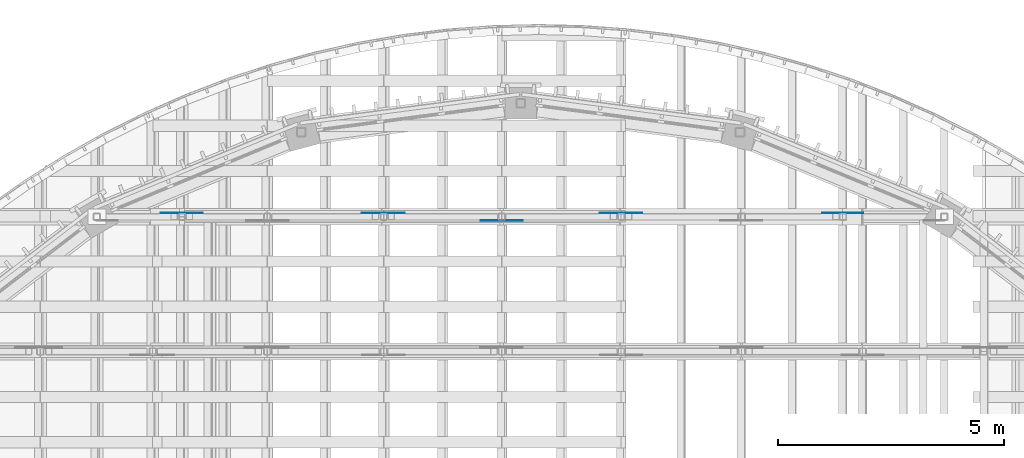
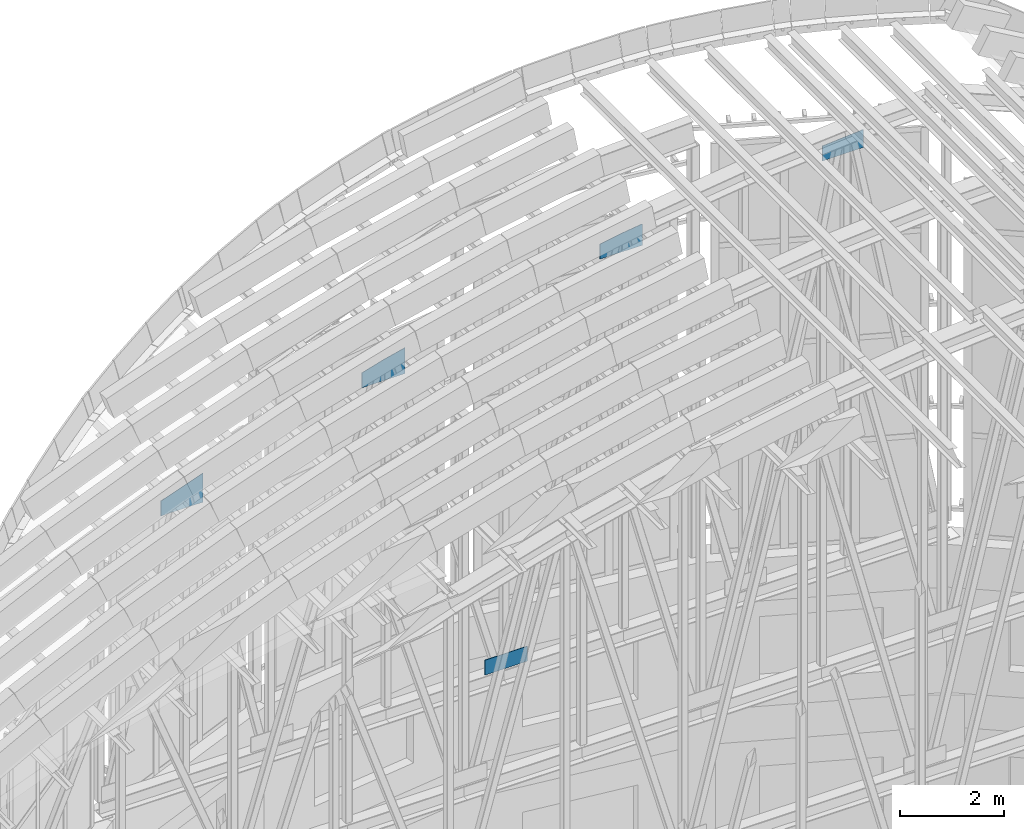
# One storey, part 65 of 105: 5 discrete accessories.
"""IFC4 building model written with IfcOpenShell, lengths in metres."""

from ifc_helpers import new_model, si_unit, direction, frame, origin, place, context, subcontext, project, spatial, polyline, outline, extrude, element, save


model = new_model("IFC4")

# Units and contexts
model_context = context("Model", 3, precision=1e-05, world=origin(), true_north=direction((0.0, 1.0)))
body_context = subcontext(model_context, "Body", "Model", "MODEL_VIEW")
ifc_project = project(units=[si_unit("LENGTHUNIT", "METRE"), si_unit("AREAUNIT", "SQUARE_METRE"), si_unit("VOLUMEUNIT", "CUBIC_METRE"), si_unit("PLANEANGLEUNIT", "RADIAN"), si_unit("MASSUNIT", "GRAM", prefix="KILO")], contexts=[model_context])

# Site, building, storey
site_placement = place(None, origin())
site = spatial("IfcSite", under=ifc_project, at=site_placement, CompositionType="ELEMENT")
building_placement = place(site_placement, origin())
building = spatial("IfcBuilding", under=site, at=building_placement, Name="Wasatch Bagh Community Centre", CompositionType="ELEMENT")
storey_placement = place(building_placement, frame((0.0, 0.0, 16.800048828125)))
storey = spatial("IfcBuildingStorey", under=building, at=storey_placement, Name="L04", CompositionType="ELEMENT", Elevation=16.800048828125)

# Discrete accessories
discrete_accessory_1_placement = place(storey_placement, frame((35.1123046875, 81.149169921875, 8.071044921875), z_axis=(0.0, -1.0, 0.0), x_axis=(1.0, 0.0, 0.0)))
element("IfcDiscreteAccessory", 1, at=discrete_accessory_1_placement, inside=storey, Name="Gusset plate", PredefinedType="BRACKET", context=body_context, shape_type="SweptSolid", body=[
    extrude(outline(polyline([(0.0, 0.0), (0.939208984375, 0.0), (0.939208984375, 0.35009765625), (0.0, 0.35009765625), (0.0, 0.0)])), origin(), (0.0, 0.0, -1.0), 0.011962890625),
])
discrete_accessory_2_placement = place(storey_placement, frame((28.033447265625, 81.32666015625, 14.521484375), z_axis=(0.0, 1.0, 0.0), x_axis=(0.943435625525, 0.0, 0.331555757741)))
element("IfcDiscreteAccessory", 2, at=discrete_accessory_2_placement, inside=storey, Name="Gusset plate", PredefinedType="BRACKET", context=body_context, shape_type="SweptSolid", body=[
    extrude(outline(polyline([(0.0, 0.0), (0.5051351540122403, 0.0), (0.9914199842318755, 0.0006211384173235857), (0.7665513575219878, 0.640480554361494), (-0.11607689370121636, 0.33029460131891303), (0.0, 0.0)])), origin(), (0.0, 0.0, -1.0), 0.011962890625),
])
discrete_accessory_3_placement = place(storey_placement, frame((32.486328125, 81.32666015625, 15.964111328125), z_axis=(0.0, 1.0, 0.0), x_axis=(0.959572452853, 0.0, 0.281461734036)))
element("IfcDiscreteAccessory", 3, at=discrete_accessory_3_placement, inside=storey, Name="Gusset plate", PredefinedType="BRACKET", context=body_context, shape_type="SweptSolid", body=[
    extrude(outline(polyline([(0.0, 0.0), (0.5065630874771581, 0.0), (0.9856013187647962, 0.0227120128428209), (0.815185034485128, 0.6037031464058675), (-0.09847037716643726, 0.3357097961273572), (0.0, 0.0)])), origin(), (0.0, 0.0, -1.0), 0.011962890625),
])
discrete_accessory_4_placement = place(storey_placement, frame((37.753173828125, 81.32666015625, 17.129150390625), z_axis=(0.0, 1.0, 0.0), x_axis=(0.983543485497, 0.0, 0.180671558739)))
element("IfcDiscreteAccessory", 4, at=discrete_accessory_4_placement, inside=storey, Name="Gusset plate", PredefinedType="BRACKET", context=body_context, shape_type="SweptSolid", body=[
    extrude(outline(polyline([(0.0, 0.0), (0.4810611205574985, -1.3877787807814457e-17), (0.9477339468143362, 0.022924180932088256), (0.8576628230483057, 0.5132551861527823), (-0.06320857999839456, 0.34409614617103557), (0.0, 0.0)])), origin(), (0.0, 0.0, -1.0), 0.011962890625),
])
discrete_accessory_5_placement = place(storey_placement, frame((42.675537109375, 81.32666015625, 17.7041015625), z_axis=(0.0, 1.0, 0.0), x_axis=(0.996966021234, 0.0, 0.077837988824)))
element("IfcDiscreteAccessory", 5, at=discrete_accessory_5_placement, inside=storey, Name="Gusset plate", PredefinedType="BRACKET", context=body_context, shape_type="SweptSolid", body=[
    extrude(outline(polyline([(0.0, 0.0), (0.4579323257022764, 6.938893903907228e-18), (0.8930764326825348, 0.00017988164288963715), (0.9121566425459134, 0.0004451484939815564), (0.8794137580871385, 0.4198231891645917), (-0.027250897454372158, 0.3490354673950406), (0.0, 0.0)])), origin(), (0.0, 0.0, -1.0), 0.011962890625),
])

save(model, "model.ifc")
